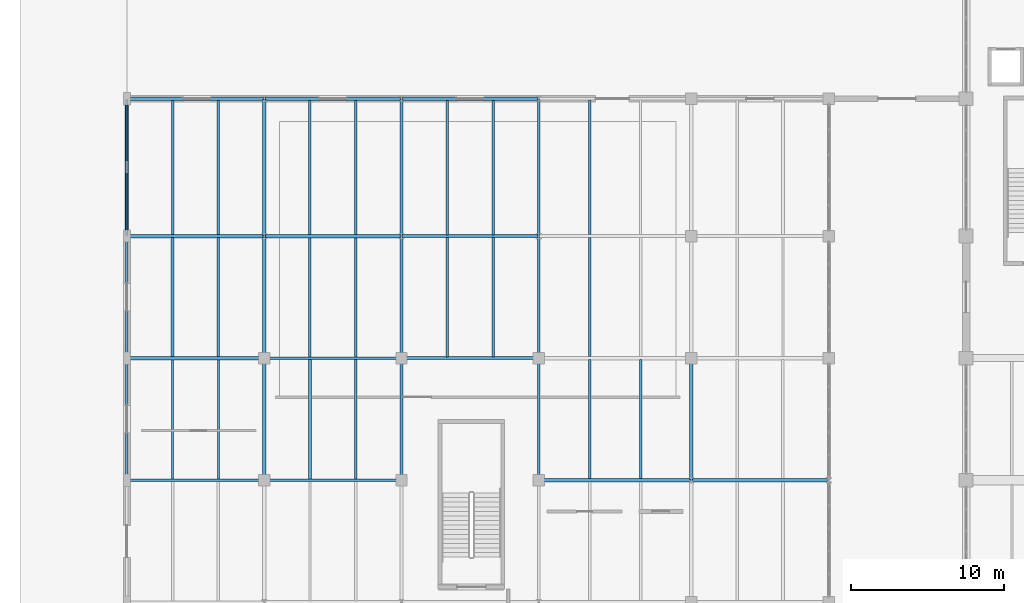
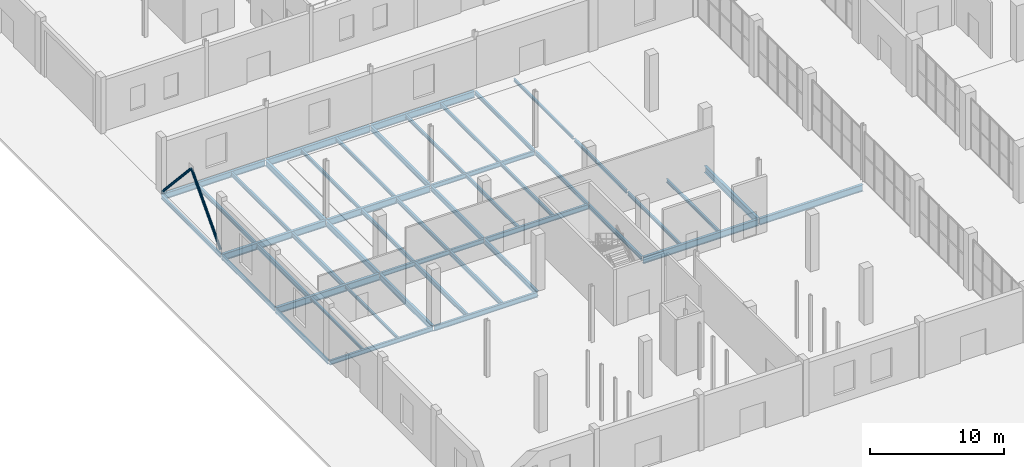
# One storey, part 33 of 103: 46 beams, 2 members.
"""IFC4 building model written with IfcOpenShell, lengths in metres."""

from ifc_helpers import new_model, si_unit, direction, frame, origin, origin_2d, place, context, subcontext, project, spatial, hollow_circle, i_section, extrude, material, material_profile, profile_set, type_object, element, save


model = new_model("IFC4")

# Units and contexts
model_context = context("Model", 3, precision=1e-05, world=origin(), true_north=direction((0.0, 1.0)))
body_context = subcontext(model_context, "Body", "Model", "MODEL_VIEW")
ifc_project = project(units=[si_unit("LENGTHUNIT", "METRE"), si_unit("AREAUNIT", "SQUARE_METRE"), si_unit("VOLUMEUNIT", "CUBIC_METRE"), si_unit("PLANEANGLEUNIT", "RADIAN"), si_unit("MASSUNIT", "GRAM", prefix="KILO")], contexts=[model_context])

# Site, building, storey
site_placement = place(None, origin())
site = spatial("IfcSite", under=ifc_project, at=site_placement, CompositionType="ELEMENT")
building_placement = place(site_placement, origin())
building = spatial("IfcBuilding", under=site, at=building_placement, Name="Marnock Terrace Opera House", CompositionType="ELEMENT")
storey_placement = place(building_placement, origin())
storey = spatial("IfcBuildingStorey", under=building, at=storey_placement, Name="L00", CompositionType="ELEMENT", Elevation=0.0)

# Beams
ifc_material_1 = material(Name="Steel Grade 350 (AS/NZS 3679.1)", Category="steel")
ifc_material_profile_1 = material_profile(ifc_material_1, i_section(OverallWidth=0.1708984375, OverallDepth=0.355712890625, WebThickness=0.00732421875, FlangeThickness=0.011474609375, FilletRadius=0.011474609375, at=origin_2d()))
ifc_profile_set_1 = profile_set([ifc_material_profile_1], Name="Steel Grade 350 (AS/NZS 3679.1)")
beam_type_1 = type_object("IfcBeamType", Name="BM-GIRD-360", PredefinedType="BEAM", material=ifc_profile_set_1)
for number, where, z_axis, x_axis, name in (
    (1, (27.0, 32.050048828125, -0.477783203125), (0.0, 1.0, 0.0), (-1.0, 0.0, 0.0), "L00 girder (X=27.0, 32.0..40.0)"),
    (2, (27.0, 40.050048828125, -0.477783203125), (0.0, 1.0, 0.0), (-1.0, 0.0, 0.0), "L00 girder (X=27.0, 40.0..48.0)"),
):
    element("IfcBeam", number, at=place(storey_placement, frame(where, z_axis=z_axis, x_axis=x_axis)), inside=storey, type_object=beam_type_1, Name=name, PredefinedType="BEAM", context=body_context, shape_type="SweptSolid", body=[
        extrude(i_section(OverallWidth=0.1708984375, OverallDepth=0.355712890625, WebThickness=0.00732421875, FlangeThickness=0.011474609375, FilletRadius=0.011474609375, at=origin_2d()), origin(), (0.0, 0.0, 1.0), 7.89990234375),
    ])
beam_1_placement = place(storey_placement, frame((27.0, 48.050048828125, -0.477783203125), z_axis=(0.0, 1.0, 0.0), x_axis=(-1.0, 0.0, 0.0)))
element("IfcBeam", 3, at=beam_1_placement, inside=storey, type_object=beam_type_1, Name="L00 girder (X=27.0, 48.0..57.0)", PredefinedType="BEAM", context=body_context, shape_type="SweptSolid", body=[
    extrude(i_section(OverallWidth=0.1708984375, OverallDepth=0.355712890625, WebThickness=0.00732421875, FlangeThickness=0.011474609375, FilletRadius=0.011474609375, at=origin_2d()), origin(), (0.0, 0.0, 1.0), 8.89990234375),
])
ifc_material_profile_2 = material_profile(ifc_material_1, i_section(OverallWidth=0.177978515625, OverallDepth=0.402587890625, WebThickness=0.007568359375, FlangeThickness=0.010986328125, FilletRadius=0.011474609375, at=origin_2d()))
ifc_profile_set_2 = profile_set([ifc_material_profile_2], Name="Steel Grade 350 (AS/NZS 3679.1)")
beam_type_2 = type_object("IfcBeamType", Name="BM-GIRD-410", PredefinedType="BEAM", material=ifc_profile_set_2)
for number, where, z_axis, x_axis, name in (
    (4, (0.050048828125, 32.0, -0.501220703125), (1.0, 0.0, 0.0), (0.0, 1.0, 0.0), "L00 girder (0.0..9.0, Y=32.0)"),
    (5, (9.050048828125, 40.0, -0.501220703125), (1.0, 0.0, 0.0), (0.0, 1.0, 0.0), "L00 girder (9.0..18.0, Y=40.0)"),
    (6, (18.050048828125, 48.0, -0.501220703125), (1.0, 0.0, 0.0), (0.0, 1.0, 0.0), "L00 girder (18.0..27.0, Y=48.0)"),
):
    element("IfcBeam", number, at=place(storey_placement, frame(where, z_axis=z_axis, x_axis=x_axis)), inside=storey, type_object=beam_type_2, Name=name, PredefinedType="BEAM", context=body_context, shape_type="SweptSolid", body=[
        extrude(i_section(OverallWidth=0.177978515625, OverallDepth=0.402587890625, WebThickness=0.007568359375, FlangeThickness=0.010986328125, FilletRadius=0.011474609375, at=origin_2d()), origin(), (0.0, 0.0, 1.0), 8.89990234375),
    ])
ifc_material_profile_3 = material_profile(ifc_material_1, i_section(OverallWidth=0.19091796875, OverallDepth=0.46044921875, WebThickness=0.010009765625, FlangeThickness=0.01611328125, FilletRadius=0.011474609375, at=origin_2d()))
ifc_profile_set_3 = profile_set([ifc_material_profile_3], Name="Steel Grade 350 (AS/NZS 3679.1)")
beam_type_3 = type_object("IfcBeamType", Name="BM-GIRD-460A", PredefinedType="BEAM", material=ifc_profile_set_3)
for number, where, z_axis, x_axis, name in (
    (7, (9.050048828125, 32.0, -0.5302734375), (1.0, 0.0, 0.0), (0.0, 1.0, 0.0), "L00 girder (9.0..18.0, Y=32.0)"),
    (8, (18.050048828125, 40.0, -0.5302734375), (1.0, 0.0, 0.0), (0.0, 1.0, 0.0), "L00 girder (18.0..27.0, Y=40.0)"),
):
    element("IfcBeam", number, at=place(storey_placement, frame(where, z_axis=z_axis, x_axis=x_axis)), inside=storey, type_object=beam_type_3, Name=name, PredefinedType="BEAM", context=body_context, shape_type="SweptSolid", body=[
        extrude(i_section(OverallWidth=0.19091796875, OverallDepth=0.46044921875, WebThickness=0.010009765625, FlangeThickness=0.01611328125, FilletRadius=0.011474609375, at=origin_2d()), origin(), (0.0, 0.0, 1.0), 8.89990234375),
    ])
ifc_material_profile_4 = material_profile(ifc_material_1, i_section(OverallWidth=0.18994140625, OverallDepth=0.45751953125, WebThickness=0.009033203125, FlangeThickness=0.014404296875, FilletRadius=0.011474609375, at=origin_2d()))
ifc_profile_set_4 = profile_set([ifc_material_profile_4], Name="Steel Grade 350 (AS/NZS 3679.1)")
beam_type_4 = type_object("IfcBeamType", Name="BM-GIRD-460B", PredefinedType="BEAM", material=ifc_profile_set_4)
for number, where, z_axis, x_axis, name in (
    (9, (18.0, 32.050048828125, -0.52880859375), (0.0, 1.0, 0.0), (-1.0, 0.0, 0.0), "L00 girder (X=18.0, 32.0..40.0)"),
    (10, (18.0, 40.050048828125, -0.52880859375), (0.0, 1.0, 0.0), (-1.0, 0.0, 0.0), "L00 girder (X=18.0, 40.0..48.0)"),
):
    element("IfcBeam", number, at=place(storey_placement, frame(where, z_axis=z_axis, x_axis=x_axis)), inside=storey, type_object=beam_type_4, Name=name, PredefinedType="BEAM", context=body_context, shape_type="SweptSolid", body=[
        extrude(i_section(OverallWidth=0.18994140625, OverallDepth=0.45751953125, WebThickness=0.009033203125, FlangeThickness=0.014404296875, FilletRadius=0.011474609375, at=origin_2d()), origin(), (0.0, 0.0, 1.0), 7.89990234375),
    ])
beam_2_placement = place(storey_placement, frame((18.0, 48.050048828125, -0.52880859375), z_axis=(0.0, 1.0, 0.0), x_axis=(-1.0, 0.0, 0.0)))
element("IfcBeam", 11, at=beam_2_placement, inside=storey, type_object=beam_type_4, Name="L00 girder (X=18.0, 48.0..57.0)", PredefinedType="BEAM", context=body_context, shape_type="SweptSolid", body=[
    extrude(i_section(OverallWidth=0.18994140625, OverallDepth=0.45751953125, WebThickness=0.009033203125, FlangeThickness=0.014404296875, FilletRadius=0.011474609375, at=origin_2d()), origin(), (0.0, 0.0, 1.0), 8.89990234375),
])
ifc_material_profile_5 = material_profile(ifc_material_1, i_section(OverallWidth=0.208984375, OverallDepth=0.532958984375, WebThickness=0.01025390625, FlangeThickness=0.015625, FilletRadius=0.013916015625, at=origin_2d()))
ifc_profile_set_5 = profile_set([ifc_material_profile_5], Name="Steel Grade 350 (AS/NZS 3679.1)")
beam_type_5 = type_object("IfcBeamType", Name="BM-GIRD-530A", PredefinedType="BEAM", material=ifc_profile_set_5)
beam_3_placement = place(storey_placement, frame((0.050048828125, 57.0, -0.56640625), z_axis=(1.0, 0.0, 0.0), x_axis=(0.0, 1.0, 0.0)))
element("IfcBeam", 12, at=beam_3_placement, inside=storey, type_object=beam_type_5, Name="L00 girder (0.0..9.0, Y=57.0)", PredefinedType="BEAM", context=body_context, shape_type="SweptSolid", body=[
    extrude(i_section(OverallWidth=0.208984375, OverallDepth=0.532958984375, WebThickness=0.01025390625, FlangeThickness=0.015625, FilletRadius=0.013916015625, at=origin_2d()), origin(), (0.0, 0.0, 1.0), 8.89990234375),
])
ifc_material_profile_6 = material_profile(ifc_material_1, i_section(OverallWidth=0.208984375, OverallDepth=0.528076171875, WebThickness=0.009521484375, FlangeThickness=0.01318359375, FilletRadius=0.013916015625, at=origin_2d()))
ifc_profile_set_6 = profile_set([ifc_material_profile_6], Name="Steel Grade 350 (AS/NZS 3679.1)")
beam_type_6 = type_object("IfcBeamType", Name="BM-GIRD-530B", PredefinedType="BEAM", material=ifc_profile_set_6)
for number, where, z_axis, x_axis, name in (
    (13, (9.0, 32.050048828125, -0.56396484375), (0.0, 1.0, 0.0), (-1.0, 0.0, 0.0), "L00 girder (X=9.0, 32.0..40.0)"),
    (14, (9.0, 40.050048828125, -0.56396484375), (0.0, 1.0, 0.0), (-1.0, 0.0, 0.0), "L00 girder (X=9.0, 40.0..48.0)"),
):
    element("IfcBeam", number, at=place(storey_placement, frame(where, z_axis=z_axis, x_axis=x_axis)), inside=storey, type_object=beam_type_6, Name=name, PredefinedType="BEAM", context=body_context, shape_type="SweptSolid", body=[
        extrude(i_section(OverallWidth=0.208984375, OverallDepth=0.528076171875, WebThickness=0.009521484375, FlangeThickness=0.01318359375, FilletRadius=0.013916015625, at=origin_2d()), origin(), (0.0, 0.0, 1.0), 7.89990234375),
    ])
beam_4_placement = place(storey_placement, frame((9.0, 48.050048828125, -0.56396484375), z_axis=(0.0, 1.0, 0.0), x_axis=(-1.0, 0.0, 0.0)))
element("IfcBeam", 15, at=beam_4_placement, inside=storey, type_object=beam_type_6, Name="L00 girder (X=9.0, 48.0..57.0)", PredefinedType="BEAM", context=body_context, shape_type="SweptSolid", body=[
    extrude(i_section(OverallWidth=0.208984375, OverallDepth=0.528076171875, WebThickness=0.009521484375, FlangeThickness=0.01318359375, FilletRadius=0.013916015625, at=origin_2d()), origin(), (0.0, 0.0, 1.0), 8.89990234375),
])
ifc_material_profile_7 = material_profile(ifc_material_1, i_section(OverallWidth=0.22900390625, OverallDepth=0.611572265625, WebThickness=0.011962890625, FlangeThickness=0.01953125, FilletRadius=0.013916015625, at=origin_2d()))
ifc_profile_set_7 = profile_set([ifc_material_profile_7], Name="Steel Grade 350 (AS/NZS 3679.1)")
beam_type_7 = type_object("IfcBeamType", Name="BM-GIRD-610A", PredefinedType="BEAM", material=ifc_profile_set_7)
for number, where, z_axis, x_axis, name in (
    (16, (0.050048828125, 40.0, -0.605712890625), (1.0, 0.0, 0.0), (0.0, 1.0, 0.0), "L00 girder (0.0..9.0, Y=40.0)"),
    (17, (9.050048828125, 48.0, -0.605712890625), (1.0, 0.0, 0.0), (0.0, 1.0, 0.0), "L00 girder (9.0..18.0, Y=48.0)"),
    (18, (18.050048828125, 57.0, -0.605712890625), (1.0, 0.0, 0.0), (0.0, 1.0, 0.0), "L00 girder (18.0..27.0, Y=57.0)"),
):
    element("IfcBeam", number, at=place(storey_placement, frame(where, z_axis=z_axis, x_axis=x_axis)), inside=storey, type_object=beam_type_7, Name=name, PredefinedType="BEAM", context=body_context, shape_type="SweptSolid", body=[
        extrude(i_section(OverallWidth=0.22900390625, OverallDepth=0.611572265625, WebThickness=0.011962890625, FlangeThickness=0.01953125, FilletRadius=0.013916015625, at=origin_2d()), origin(), (0.0, 0.0, 1.0), 8.89990234375),
    ])
ifc_material_profile_8 = material_profile(ifc_material_1, i_section(OverallWidth=0.22802734375, OverallDepth=0.60693359375, WebThickness=0.01123046875, FlangeThickness=0.017333984375, FilletRadius=0.013916015625, at=origin_2d()))
ifc_profile_set_8 = profile_set([ifc_material_profile_8], Name="Steel Grade 350 (AS/NZS 3679.1)")
beam_type_8 = type_object("IfcBeamType", Name="BM-GIRD-610B", PredefinedType="BEAM", material=ifc_profile_set_8)
beam_5_placement = place(storey_placement, frame((27.050048828125, 32.0, -0.603515625), z_axis=(1.0, 0.0, 0.0), x_axis=(0.0, 1.0, 0.0)))
element("IfcBeam", 19, at=beam_5_placement, inside=storey, type_object=beam_type_8, Name="L00 girder (27.0..37.0, Y=32.0)", PredefinedType="BEAM", context=body_context, shape_type="SweptSolid", body=[
    extrude(i_section(OverallWidth=0.22802734375, OverallDepth=0.60693359375, WebThickness=0.01123046875, FlangeThickness=0.017333984375, FilletRadius=0.013916015625, at=origin_2d()), origin(), (0.0, 0.0, 1.0), 9.89990234375),
])
for number, where, z_axis, x_axis, name in (
    (20, (37.050048828125, 32.0, -0.603515625), (1.0, 0.0, 0.0), (0.0, 1.0, 0.0), "L00 girder (37.0..46.0, Y=32.0)"),
    (21, (0.050048828125, 48.0, -0.603515625), (1.0, 0.0, 0.0), (0.0, 1.0, 0.0), "L00 girder (0.0..9.0, Y=48.0)"),
    (22, (9.050048828125, 57.0, -0.603515625), (1.0, 0.0, 0.0), (0.0, 1.0, 0.0), "L00 girder (9.0..18.0, Y=57.0)"),
):
    element("IfcBeam", number, at=place(storey_placement, frame(where, z_axis=z_axis, x_axis=x_axis)), inside=storey, type_object=beam_type_8, Name=name, PredefinedType="BEAM", context=body_context, shape_type="SweptSolid", body=[
        extrude(i_section(OverallWidth=0.22802734375, OverallDepth=0.60693359375, WebThickness=0.01123046875, FlangeThickness=0.017333984375, FilletRadius=0.013916015625, at=origin_2d()), origin(), (0.0, 0.0, 1.0), 8.89990234375),
    ])
ifc_material_profile_9 = material_profile(ifc_material_1, i_section(OverallWidth=0.22802734375, OverallDepth=0.60205078125, WebThickness=0.010498046875, FlangeThickness=0.014892578125, FilletRadius=0.013916015625, at=origin_2d()))
ifc_profile_set_9 = profile_set([ifc_material_profile_9], Name="Steel Grade 350 (AS/NZS 3679.1)")
beam_type_9 = type_object("IfcBeamType", Name="BM-GIRD-610C", PredefinedType="BEAM", material=ifc_profile_set_9)
beam_6_placement = place(storey_placement, frame((37.0, 32.050048828125, -0.60107421875), z_axis=(0.0, 1.0, 0.0), x_axis=(-1.0, 0.0, 0.0)))
element("IfcBeam", 23, at=beam_6_placement, inside=storey, type_object=beam_type_9, Name="L00 girder (X=37.0, 32.0..40.0)", PredefinedType="BEAM", context=body_context, shape_type="SweptSolid", body=[
    extrude(i_section(OverallWidth=0.22802734375, OverallDepth=0.60205078125, WebThickness=0.010498046875, FlangeThickness=0.014892578125, FilletRadius=0.013916015625, at=origin_2d()), origin(), (0.0, 0.0, 1.0), 7.89990234375),
])
ifc_material_profile_10 = material_profile(ifc_material_1, i_section(OverallWidth=0.14599609375, OverallDepth=0.256103515625, WebThickness=0.00634765625, FlangeThickness=0.010986328125, FilletRadius=0.0087890625, at=origin_2d()))
ifc_profile_set_10 = profile_set([ifc_material_profile_10], Name="Steel Grade 350 (AS/NZS 3679.1)")
beam_type_10 = type_object("IfcBeamType", Name="BM-JOIST-250", PredefinedType="JOIST", material=ifc_profile_set_10)
for number, where, z_axis, x_axis, name in (
    (24, (3.0, 32.083984375, -0.427978515625), (0.0, 1.0, 0.0), (-1.0, 0.0, 0.0), "L00 secondary joist 0.4.1"),
    (25, (6.0, 32.083984375, -0.427978515625), (0.0, 1.0, 0.0), (-1.0, 0.0, 0.0), "L00 secondary joist 0.4.2"),
):
    element("IfcBeam", number, at=place(storey_placement, frame(where, z_axis=z_axis, x_axis=x_axis)), inside=storey, type_object=beam_type_10, Name=name, PredefinedType="JOIST", context=body_context, shape_type="SweptSolid", body=[
        extrude(i_section(OverallWidth=0.14599609375, OverallDepth=0.256103515625, WebThickness=0.00634765625, FlangeThickness=0.010986328125, FilletRadius=0.0087890625, at=origin_2d()), origin(), (0.0, 0.0, 1.0), 7.806396484375),
    ])
beam_7_placement = place(storey_placement, frame((30.333251953125, 48.090576171875, -0.427978515625), z_axis=(0.0, 1.0, 0.0), x_axis=(-1.0, 0.0, 0.0)))
element("IfcBeam", 26, at=beam_7_placement, inside=storey, type_object=beam_type_10, Name="L00 secondary joist 3.6.1", PredefinedType="JOIST", context=body_context, shape_type="SweptSolid", body=[
    extrude(i_section(OverallWidth=0.14599609375, OverallDepth=0.256103515625, WebThickness=0.00634765625, FlangeThickness=0.010986328125, FilletRadius=0.0087890625, at=origin_2d()), origin(), (0.0, 0.0, 1.0), 8.825439453125),
])
ifc_material_profile_11 = material_profile(ifc_material_1, i_section(OverallWidth=0.166015625, OverallDepth=0.30712890625, WebThickness=0.006591796875, FlangeThickness=0.01171875, FilletRadius=0.011474609375, at=origin_2d()))
ifc_profile_set_11 = profile_set([ifc_material_profile_11], Name="Steel Grade 350 (AS/NZS 3679.1)")
beam_type_11 = type_object("IfcBeamType", Name="BM-JOIST-310A", PredefinedType="JOIST", material=ifc_profile_set_11)
for number, where, z_axis, x_axis, name in (
    (27, (12.0, 48.109619140625, -0.45361328125), (0.0, 1.0, 0.0), (-1.0, 0.0, 0.0), "L00 secondary joist 1.6.1"),
    (28, (15.0, 48.109619140625, -0.45361328125), (0.0, 1.0, 0.0), (-1.0, 0.0, 0.0), "L00 secondary joist 1.6.2"),
):
    element("IfcBeam", number, at=place(storey_placement, frame(where, z_axis=z_axis, x_axis=x_axis)), inside=storey, type_object=beam_type_11, Name=name, PredefinedType="JOIST", context=body_context, shape_type="SweptSolid", body=[
        extrude(i_section(OverallWidth=0.166015625, OverallDepth=0.30712890625, WebThickness=0.006591796875, FlangeThickness=0.01171875, FilletRadius=0.011474609375, at=origin_2d()), origin(), (0.0, 0.0, 1.0), 8.781494140625),
    ])
for number, where, z_axis, x_axis, name in (
    (29, (21.0, 40.090576171875, -0.45361328125), (0.0, 1.0, 0.0), (-1.0, 0.0, 0.0), "L00 secondary joist 2.5.1"),
    (30, (24.0, 40.090576171875, -0.45361328125), (0.0, 1.0, 0.0), (-1.0, 0.0, 0.0), "L00 secondary joist 2.5.2"),
):
    element("IfcBeam", number, at=place(storey_placement, frame(where, z_axis=z_axis, x_axis=x_axis)), inside=storey, type_object=beam_type_11, Name=name, PredefinedType="JOIST", context=body_context, shape_type="SweptSolid", body=[
        extrude(i_section(OverallWidth=0.166015625, OverallDepth=0.30712890625, WebThickness=0.006591796875, FlangeThickness=0.01171875, FilletRadius=0.011474609375, at=origin_2d()), origin(), (0.0, 0.0, 1.0), 7.825439453125),
    ])
for number, where, z_axis, x_axis, name in (
    (31, (30.333251953125, 32.10888671875, -0.45361328125), (0.0, 1.0, 0.0), (-1.0, 0.0, 0.0), "L00 secondary joist 3.4.1"),
    (32, (33.666748046875, 32.10888671875, -0.45361328125), (0.0, 1.0, 0.0), (-1.0, 0.0, 0.0), "L00 secondary joist 3.4.2"),
):
    element("IfcBeam", number, at=place(storey_placement, frame(where, z_axis=z_axis, x_axis=x_axis)), inside=storey, type_object=beam_type_11, Name=name, PredefinedType="JOIST", context=body_context, shape_type="SweptSolid", body=[
        extrude(i_section(OverallWidth=0.166015625, OverallDepth=0.30712890625, WebThickness=0.006591796875, FlangeThickness=0.01171875, FilletRadius=0.011474609375, at=origin_2d()), origin(), (0.0, 0.0, 1.0), 7.79150390625),
    ])
ifc_material_profile_12 = material_profile(ifc_material_1, i_section(OverallWidth=0.1650390625, OverallDepth=0.3037109375, WebThickness=0.006103515625, FlangeThickness=0.01025390625, FilletRadius=0.011474609375, at=origin_2d()))
ifc_profile_set_12 = profile_set([ifc_material_profile_12], Name="Steel Grade 350 (AS/NZS 3679.1)")
beam_type_12 = type_object("IfcBeamType", Name="BM-JOIST-310B", PredefinedType="JOIST", material=ifc_profile_set_12)
for number, where, z_axis, x_axis, name in (
    (33, (21.0, 48.083984375, -0.451904296875), (0.0, 1.0, 0.0), (-1.0, 0.0, 0.0), "L00 secondary joist 2.6.1"),
    (34, (24.0, 48.083984375, -0.451904296875), (0.0, 1.0, 0.0), (-1.0, 0.0, 0.0), "L00 secondary joist 2.6.2"),
):
    element("IfcBeam", number, at=place(storey_placement, frame(where, z_axis=z_axis, x_axis=x_axis)), inside=storey, type_object=beam_type_12, Name=name, PredefinedType="JOIST", context=body_context, shape_type="SweptSolid", body=[
        extrude(i_section(OverallWidth=0.1650390625, OverallDepth=0.3037109375, WebThickness=0.006103515625, FlangeThickness=0.01025390625, FilletRadius=0.011474609375, at=origin_2d()), origin(), (0.0, 0.0, 1.0), 8.806396484375),
    ])
beam_8_placement = place(storey_placement, frame((30.333251953125, 40.099609375, -0.451904296875), z_axis=(0.0, 1.0, 0.0), x_axis=(-1.0, 0.0, 0.0)))
element("IfcBeam", 35, at=beam_8_placement, inside=storey, type_object=beam_type_12, Name="L00 secondary joist 3.5.1", PredefinedType="JOIST", context=body_context, shape_type="SweptSolid", body=[
    extrude(i_section(OverallWidth=0.1650390625, OverallDepth=0.3037109375, WebThickness=0.006103515625, FlangeThickness=0.01025390625, FilletRadius=0.011474609375, at=origin_2d()), origin(), (0.0, 0.0, 1.0), 7.809814453125),
])
ifc_material_profile_13 = material_profile(ifc_material_1, i_section(OverallWidth=0.172119140625, OverallDepth=0.358642578125, WebThickness=0.008056640625, FlangeThickness=0.012939453125, FilletRadius=0.011474609375, at=origin_2d()))
ifc_profile_set_13 = profile_set([ifc_material_profile_13], Name="Steel Grade 350 (AS/NZS 3679.1)")
beam_type_13 = type_object("IfcBeamType", Name="BM-JOIST-360", PredefinedType="JOIST", material=ifc_profile_set_13)
for number, where, z_axis, x_axis, name in (
    (36, (3.0, 48.10888671875, -0.479248046875), (0.0, 1.0, 0.0), (-1.0, 0.0, 0.0), "L00 secondary joist 0.6.1"),
    (37, (6.0, 48.10888671875, -0.479248046875), (0.0, 1.0, 0.0), (-1.0, 0.0, 0.0), "L00 secondary joist 0.6.2"),
):
    element("IfcBeam", number, at=place(storey_placement, frame(where, z_axis=z_axis, x_axis=x_axis)), inside=storey, type_object=beam_type_13, Name=name, PredefinedType="JOIST", context=body_context, shape_type="SweptSolid", body=[
        extrude(i_section(OverallWidth=0.172119140625, OverallDepth=0.358642578125, WebThickness=0.008056640625, FlangeThickness=0.012939453125, FilletRadius=0.011474609375, at=origin_2d()), origin(), (0.0, 0.0, 1.0), 8.79150390625),
    ])
for number, where, z_axis, x_axis, name in (
    (38, (12.0, 40.083984375, -0.479248046875), (0.0, 1.0, 0.0), (-1.0, 0.0, 0.0), "L00 secondary joist 1.5.1"),
    (39, (15.0, 40.083984375, -0.479248046875), (0.0, 1.0, 0.0), (-1.0, 0.0, 0.0), "L00 secondary joist 1.5.2"),
):
    element("IfcBeam", number, at=place(storey_placement, frame(where, z_axis=z_axis, x_axis=x_axis)), inside=storey, type_object=beam_type_13, Name=name, PredefinedType="JOIST", context=body_context, shape_type="SweptSolid", body=[
        extrude(i_section(OverallWidth=0.172119140625, OverallDepth=0.358642578125, WebThickness=0.008056640625, FlangeThickness=0.012939453125, FilletRadius=0.011474609375, at=origin_2d()), origin(), (0.0, 0.0, 1.0), 7.806396484375),
    ])
ifc_material_profile_14 = material_profile(ifc_material_1, i_section(OverallWidth=0.177978515625, OverallDepth=0.406494140625, WebThickness=0.0078125, FlangeThickness=0.0126953125, FilletRadius=0.011474609375, at=origin_2d()))
ifc_profile_set_14 = profile_set([ifc_material_profile_14], Name="Steel Grade 350 (AS/NZS 3679.1)")
beam_type_14 = type_object("IfcBeamType", Name="BM-JOIST-410", PredefinedType="JOIST", material=ifc_profile_set_14)
for number, where, z_axis, x_axis, name in (
    (40, (3.0, 40.109619140625, -0.503173828125), (0.0, 1.0, 0.0), (-1.0, 0.0, 0.0), "L00 secondary joist 0.5.1"),
    (41, (6.0, 40.109619140625, -0.503173828125), (0.0, 1.0, 0.0), (-1.0, 0.0, 0.0), "L00 secondary joist 0.5.2"),
):
    element("IfcBeam", number, at=place(storey_placement, frame(where, z_axis=z_axis, x_axis=x_axis)), inside=storey, type_object=beam_type_14, Name=name, PredefinedType="JOIST", context=body_context, shape_type="SweptSolid", body=[
        extrude(i_section(OverallWidth=0.177978515625, OverallDepth=0.406494140625, WebThickness=0.0078125, FlangeThickness=0.0126953125, FilletRadius=0.011474609375, at=origin_2d()), origin(), (0.0, 0.0, 1.0), 7.781494140625),
    ])
for number, where, z_axis, x_axis, name in (
    (42, (12.0, 32.090576171875, -0.503173828125), (0.0, 1.0, 0.0), (-1.0, 0.0, 0.0), "L00 secondary joist 1.4.1"),
    (43, (15.0, 32.090576171875, -0.503173828125), (0.0, 1.0, 0.0), (-1.0, 0.0, 0.0), "L00 secondary joist 1.4.2"),
):
    element("IfcBeam", number, at=place(storey_placement, frame(where, z_axis=z_axis, x_axis=x_axis)), inside=storey, type_object=beam_type_14, Name=name, PredefinedType="JOIST", context=body_context, shape_type="SweptSolid", body=[
        extrude(i_section(OverallWidth=0.177978515625, OverallDepth=0.406494140625, WebThickness=0.0078125, FlangeThickness=0.0126953125, FilletRadius=0.011474609375, at=origin_2d()), origin(), (0.0, 0.0, 1.0), 7.825439453125),
    ])
ifc_material_profile_15 = material_profile(ifc_material_1, i_section(OverallWidth=0.172119140625, OverallDepth=0.358642578125, WebThickness=0.008056640625, FlangeThickness=0.012939453125, FilletRadius=0.011474609375, at=origin_2d()))
ifc_profile_set_15 = profile_set([ifc_material_profile_15], Name="Steel Grade 350 (AS/NZS 3679.1)")
beam_type_15 = type_object("IfcBeamType", Name="BM-SPAN-360", PredefinedType="SPANDREL", material=ifc_profile_set_15)
for number, where, z_axis, x_axis, name in (
    (44, (0.0, 32.050048828125, -0.479248046875), (0.0, 1.0, 0.0), (-1.0, 0.0, 0.0), "L00 girder (X=0.0, 32.0..40.0)"),
    (45, (0.0, 40.050048828125, -0.479248046875), (0.0, 1.0, 0.0), (-1.0, 0.0, 0.0), "L00 girder (X=0.0, 40.0..48.0)"),
):
    element("IfcBeam", number, at=place(storey_placement, frame(where, z_axis=z_axis, x_axis=x_axis)), inside=storey, type_object=beam_type_15, Name=name, PredefinedType="SPANDREL", context=body_context, shape_type="SweptSolid", body=[
        extrude(i_section(OverallWidth=0.172119140625, OverallDepth=0.358642578125, WebThickness=0.008056640625, FlangeThickness=0.012939453125, FilletRadius=0.011474609375, at=origin_2d()), origin(), (0.0, 0.0, 1.0), 7.89990234375),
    ])
beam_9_placement = place(storey_placement, frame((0.0, 48.050048828125, -0.479248046875), z_axis=(0.0, 1.0, 0.0), x_axis=(-1.0, 0.0, 0.0)))
element("IfcBeam", 46, at=beam_9_placement, inside=storey, type_object=beam_type_15, Name="L00 girder (X=0.0, 48.0..57.0)", PredefinedType="SPANDREL", context=body_context, shape_type="SweptSolid", body=[
    extrude(i_section(OverallWidth=0.172119140625, OverallDepth=0.358642578125, WebThickness=0.008056640625, FlangeThickness=0.012939453125, FilletRadius=0.011474609375, at=origin_2d()), origin(), (0.0, 0.0, 1.0), 8.89990234375),
])

# Members
ifc_material_2 = material(Name="Cold-formed Steel Grade C350L0 (AS/NZS 1163)", Category="steel")
ifc_material_profile_16 = material_profile(ifc_material_2, hollow_circle(Radius=0.109619140625, WallThickness=0.00830078125, at=origin_2d()))
ifc_profile_set_16 = profile_set([ifc_material_profile_16], Name="Cold-formed Steel Grade C350L0 (AS/NZS 1163)")
member_type = type_object("IfcMemberType", Name="MEM-BRACE-CHS1", PredefinedType="BRACE", material=ifc_profile_set_16)
for number, where, z_axis, x_axis, name in (
    (47, (0.0, 48.14990234375, 0.0), (0.0, 0.674607739547, 0.738176400154), (-1.0, 0.0, 0.0), "L00 chevron brace A"),
    (48, (0.0, 56.85009765625, 0.0), (0.0, -0.674607739547, 0.738176400154), (1.0, 0.0, 0.0), "L00 chevron brace B"),
):
    element("IfcMember", number, at=place(storey_placement, frame(where, z_axis=z_axis, x_axis=x_axis)), inside=storey, type_object=member_type, Name=name, PredefinedType="BRACE", context=body_context, shape_type="SweptSolid", body=[
        extrude(hollow_circle(Radius=0.109619140625, WallThickness=0.00830078125, at=origin_2d()), origin(), (0.0, 0.0, 1.0), 6.4482421875),
    ])

save(model, "model.ifc")
